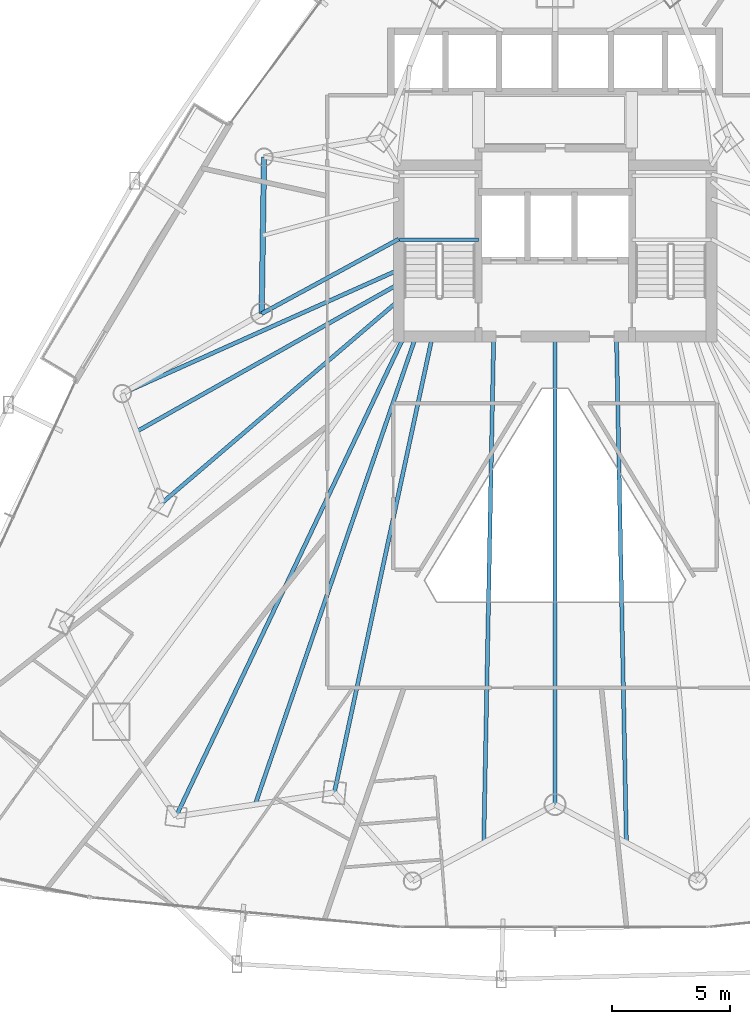
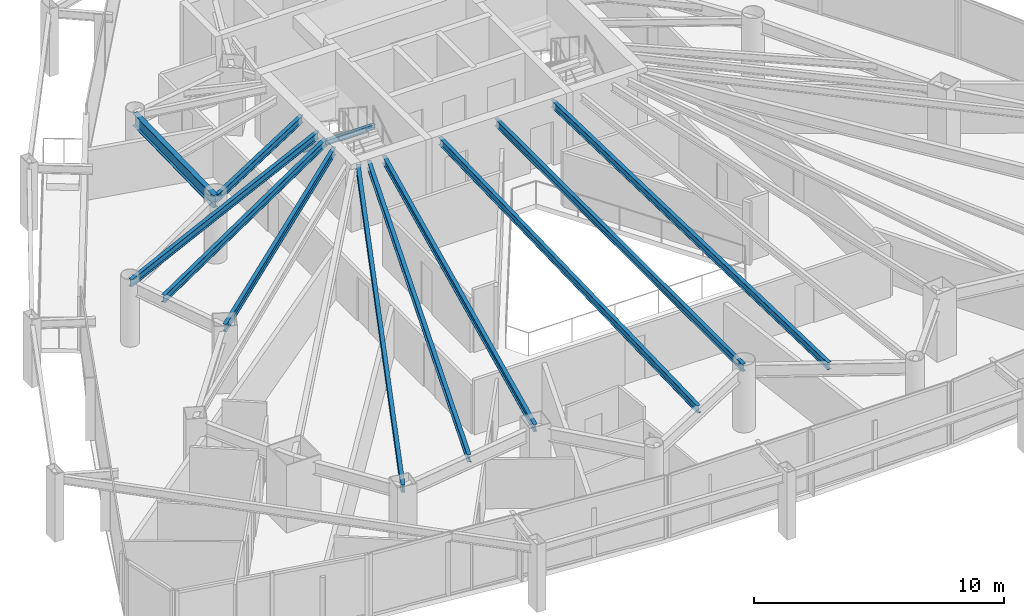
# One storey, part 12 of 37: 12 beams.
"""IFC4 building model written with IfcOpenShell, lengths in metres."""

from ifc_helpers import new_model, si_unit, direction, frame, origin, origin_2d, place, context, subcontext, project, spatial, i_section, extrude, material, material_profile, profile_set, type_object, element, save


model = new_model("IFC4")

# Units and contexts
model_context = context("Model", 3, precision=1e-05, world=origin(), true_north=direction((0.0, 1.0)))
body_context = subcontext(model_context, "Body", "Model", "MODEL_VIEW")
ifc_project = project(units=[si_unit("LENGTHUNIT", "METRE"), si_unit("AREAUNIT", "SQUARE_METRE"), si_unit("VOLUMEUNIT", "CUBIC_METRE"), si_unit("PLANEANGLEUNIT", "RADIAN"), si_unit("MASSUNIT", "GRAM", prefix="KILO")], contexts=[model_context])

# Site, building, storey
site_placement = place(None, origin())
site = spatial("IfcSite", under=ifc_project, at=site_placement, CompositionType="ELEMENT")
building_placement = place(site_placement, origin())
building = spatial("IfcBuilding", under=site, at=building_placement, Name="Orvanel Arch Residences", CompositionType="ELEMENT")
storey_placement = place(building_placement, frame((0.0, 0.0, 53.300048828125)))
storey = spatial("IfcBuildingStorey", under=building, at=storey_placement, Name="L14", CompositionType="ELEMENT", Elevation=53.300048828125)

# Beams
ifc_material = material(Name="Structural steel AS/NZS 3679.1 Grade 300 (300 MPa)", Category="steel")
ifc_material_profile_1 = material_profile(ifc_material, i_section(OverallWidth=0.14599609375, OverallDepth=0.251953125, WebThickness=0.006103515625, FlangeThickness=0.008544921875, at=origin_2d()), Name="250UB31.4")
ifc_profile_set_1 = profile_set([ifc_material_profile_1], Name="Structural steel AS/NZS 3679.1 Grade 300 (300 MPa)")
beam_type_1 = type_object("IfcBeamType", Name="BJ-250UB", PredefinedType="JOIST", material=ifc_profile_set_1)
beam_1_placement = place(storey_placement, frame((26.39990234375, 30.780029296875, 1.323974609375), z_axis=(1.0, 0.0, 0.0), x_axis=(0.0, 1.0, 0.0)))
element("IfcBeam", 1, at=beam_1_placement, inside=storey, type_object=beam_type_1, Name="L14 ST-1 Half-Landing Support Beam 1.1", PredefinedType="JOIST", context=body_context, shape_type="SweptSolid", body=[
    extrude(i_section(OverallWidth=0.14599609375, OverallDepth=0.251953125, WebThickness=0.006103515625, FlangeThickness=0.008544921875, at=origin_2d()), origin(), (0.0, 0.0, 1.0), 3.35009765625),
])
ifc_material_profile_2 = material_profile(ifc_material, i_section(OverallWidth=0.1708984375, OverallDepth=0.35595703125, WebThickness=0.00732421875, FlangeThickness=0.011474609375, at=origin_2d()), Name="360UB50.7")
ifc_profile_set_2 = profile_set([ifc_material_profile_2], Name="Structural steel AS/NZS 3679.1 Grade 300 (300 MPa)")
beam_type_2 = type_object("IfcBeamType", Name="BJ-360UB", PredefinedType="JOIST", material=ifc_profile_set_2)
beam_2_placement = place(storey_placement, frame((26.375, 30.800048828125, 2.8818359375), z_axis=(-0.878399029914, -0.477927969726, 0.0), x_axis=(0.477927969726, -0.878399029914, 0.0)))
element("IfcBeam", 2, at=beam_2_placement, inside=storey, type_object=beam_type_2, Name="L14 NW Wing Floor Joist", PredefinedType="JOIST", context=body_context, shape_type="SweptSolid", body=[
    extrude(i_section(OverallWidth=0.1708984375, OverallDepth=0.35595703125, WebThickness=0.00732421875, FlangeThickness=0.011474609375, at=origin_2d()), origin(), (0.0, 0.0, 1.0), 6.609619140625),
])
beam_3_placement = place(storey_placement, frame((26.375, 28.199951171875, 2.8818359375), z_axis=(-0.760024297953, -0.649894658018, 0.0), x_axis=(0.649894658018, -0.760024297953, 0.0)))
element("IfcBeam", 3, at=beam_3_placement, inside=storey, type_object=beam_type_2, Name="L14 W Wing Floor Joist", PredefinedType="JOIST", context=body_context, shape_type="SweptSolid", body=[
    extrude(i_section(OverallWidth=0.1708984375, OverallDepth=0.35595703125, WebThickness=0.00732421875, FlangeThickness=0.011474609375, at=origin_2d()), origin(), (0.0, 0.0, 1.0), 13.16796875),
])
beam_4_placement = place(storey_placement, frame((27.800048828125, 26.675048828125, 2.8818359375), z_axis=(-0.210066515515, -0.977687096703, 0.0), x_axis=(0.977687096703, -0.210066515515, 0.0)))
element("IfcBeam", 4, at=beam_4_placement, inside=storey, type_object=beam_type_2, Name="L14 SW Wing Floor Joist", PredefinedType="JOIST", context=body_context, shape_type="SweptSolid", body=[
    extrude(i_section(OverallWidth=0.1708984375, OverallDepth=0.35595703125, WebThickness=0.00732421875, FlangeThickness=0.011474609375, at=origin_2d()), origin(), (0.0, 0.0, 1.0), 19.760986328125),
])
beam_5_placement = place(storey_placement, frame((33.0, 26.675048828125, 2.8818359375), z_axis=(0.0, -1.0, 0.0), x_axis=(1.0, 0.0, 0.0)))
element("IfcBeam", 5, at=beam_5_placement, inside=storey, type_object=beam_type_2, Name="L14 SSW Wing Floor Joist", PredefinedType="JOIST", context=body_context, shape_type="SweptSolid", body=[
    extrude(i_section(OverallWidth=0.1708984375, OverallDepth=0.35595703125, WebThickness=0.00732421875, FlangeThickness=0.011474609375, at=origin_2d()), origin(), (0.0, 0.0, 1.0), 19.8310546875),
])
for number, where, z_axis, x_axis, name in (
    (6, (30.39990234375, 26.675048828125, 2.8818359375), (-0.019617680075, -0.999807554797, 0.0), (0.999807554797, -0.019617680075, 0.0), "L14 WSW2 Wing Floor Joist"),
    (7, (35.60009765625, 26.675048828125, 2.8818359375), (0.019617680075, -0.999807554797, 0.0), (0.999807554797, 0.019617680075, 0.0), "L14 ESE2 Wing Floor Joist"),
):
    element("IfcBeam", number, at=place(storey_placement, frame(where, z_axis=z_axis, x_axis=x_axis)), inside=storey, type_object=beam_type_2, Name=name, PredefinedType="JOIST", context=body_context, shape_type="SweptSolid", body=[
        extrude(i_section(OverallWidth=0.1708984375, OverallDepth=0.35595703125, WebThickness=0.00732421875, FlangeThickness=0.011474609375, at=origin_2d()), origin(), (0.0, 0.0, 1.0), 21.455078125),
    ])
beam_6_placement = place(storey_placement, frame((26.60009765625, 26.675048828125, 2.8818359375), z_axis=(-0.429042657795, -0.903284228686, 0.0), x_axis=(0.903284228686, -0.429042657795, 0.0)))
element("IfcBeam", 8, at=beam_6_placement, inside=storey, type_object=beam_type_2, Name="L14 MSW Wing Floor Joist", PredefinedType="JOIST", context=body_context, shape_type="SweptSolid", body=[
    extrude(i_section(OverallWidth=0.1708984375, OverallDepth=0.35595703125, WebThickness=0.00732421875, FlangeThickness=0.011474609375, at=origin_2d()), origin(), (0.0, 0.0, 1.0), 22.513427734375),
])
beam_7_placement = place(storey_placement, frame((26.375, 29.5, 2.8818359375), z_axis=(-0.912704378681, -0.408620505038, 0.0), x_axis=(0.408620505038, -0.912704378681, 0.0)))
element("IfcBeam", 9, at=beam_7_placement, inside=storey, type_object=beam_type_2, Name="L14 LSW Wing Floor Joist", PredefinedType="JOIST", context=body_context, shape_type="SweptSolid", body=[
    extrude(i_section(OverallWidth=0.1708984375, OverallDepth=0.35595703125, WebThickness=0.00732421875, FlangeThickness=0.011474609375, at=origin_2d()), origin(), (0.0, 0.0, 1.0), 12.833251953125),
])
beam_8_placement = place(storey_placement, frame((26.375, 28.89990234375, 2.8818359375), z_axis=(-0.871372554181, -0.490621923502, 0.0), x_axis=(0.490621923502, -0.871372554181, 0.0)))
element("IfcBeam", 10, at=beam_8_placement, inside=storey, type_object=beam_type_2, Name="L14 CTW Wing Floor Joist", PredefinedType="JOIST", context=body_context, shape_type="SweptSolid", body=[
    extrude(i_section(OverallWidth=0.1708984375, OverallDepth=0.35595703125, WebThickness=0.00732421875, FlangeThickness=0.011474609375, at=origin_2d()), origin(), (0.0, 0.0, 1.0), 12.7568359375),
])
beam_9_placement = place(storey_placement, frame((27.10009765625, 26.675048828125, 2.8818359375), z_axis=(-0.324621456495, -0.945844019901, 0.0), x_axis=(0.945844019901, -0.324621456495, 0.0)))
element("IfcBeam", 11, at=beam_9_placement, inside=storey, type_object=beam_type_2, Name="L14 JADD1 Wing Floor Joist", PredefinedType="JOIST", context=body_context, shape_type="SweptSolid", body=[
    extrude(i_section(OverallWidth=0.1708984375, OverallDepth=0.35595703125, WebThickness=0.00732421875, FlangeThickness=0.011474609375, at=origin_2d()), origin(), (0.0, 0.0, 1.0), 20.96337890625),
])
ifc_material_profile_3 = material_profile(ifc_material, i_section(OverallWidth=0.22900390625, OverallDepth=0.612060546875, WebThickness=0.011962890625, FlangeThickness=0.01953125, at=origin_2d()), Name="610UB125")
ifc_profile_set_3 = profile_set([ifc_material_profile_3], Name="Structural steel AS/NZS 3679.1 Grade 300 (300 MPa)")
beam_type_3 = type_object("IfcBeamType", Name="SP-610UB", PredefinedType="SPANDREL", material=ifc_profile_set_3)
beam_10_placement = place(storey_placement, frame((20.669921875, 34.27099609375, 2.75390625), z_axis=(-0.015206666874, -0.999884371956, 0.0), x_axis=(0.999884371956, -0.015206666874, 0.0)))
element("IfcBeam", 12, at=beam_10_placement, inside=storey, type_object=beam_type_3, Name="L14 Perimeter Spandrel Beam 20", PredefinedType="SPANDREL", context=body_context, shape_type="SweptSolid", body=[
    extrude(i_section(OverallWidth=0.22900390625, OverallDepth=0.612060546875, WebThickness=0.011962890625, FlangeThickness=0.01953125, at=origin_2d()), origin(), (0.0, 0.0, 1.0), 6.630615234375),
])

save(model, "model.ifc")
